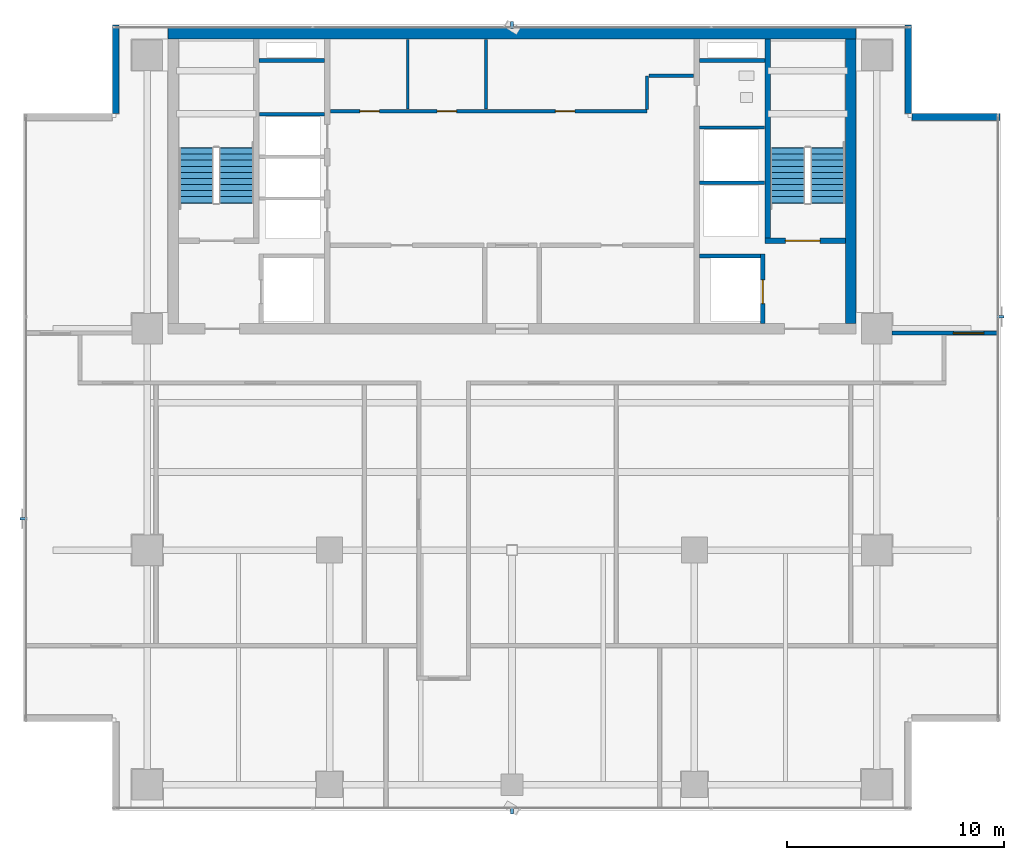
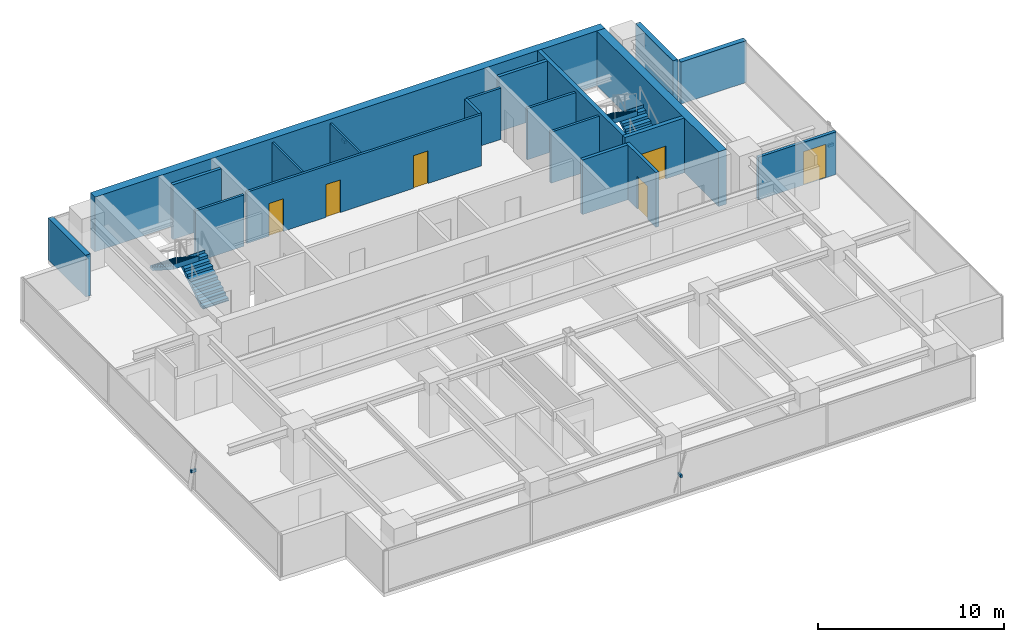
# One storey, part 21 of 25: 20 walls, 6 doors, 4 discrete accessories, 4 stair flights, 6 openings, 2 elements without a shape of their own.
"""IFC4 building model written with IfcOpenShell, lengths in metres."""

from ifc_helpers import new_model, si_unit, direction, frame, frame_2d, origin, origin_2d, place, context, subcontext, project, spatial, polyline, rectangle, outline, extrude, source, transform, mapped, material, layer, layer_set, material_profile, profile_set, type_object, element, fill, aggregate, save


model = new_model("IFC4")

# Units and contexts
model_context = context("Model", 3, precision=1e-05, world=origin(), true_north=direction((0.0, 1.0)))
body_context = subcontext(model_context, "Body", "Model", "MODEL_VIEW")
ifc_project = project(units=[si_unit("LENGTHUNIT", "METRE"), si_unit("AREAUNIT", "SQUARE_METRE"), si_unit("VOLUMEUNIT", "CUBIC_METRE"), si_unit("PLANEANGLEUNIT", "RADIAN"), si_unit("MASSUNIT", "GRAM", prefix="KILO")], contexts=[model_context])

# Site, building, storey
site_placement = place(None, origin())
site = spatial("IfcSite", under=ifc_project, at=site_placement, CompositionType="ELEMENT")
building_placement = place(site_placement, origin())
building = spatial("IfcBuilding", under=site, at=building_placement, Name="Sumidabori Civic Tower", CompositionType="ELEMENT")
storey_placement = place(building_placement, frame((0.0, 0.0, 268.39990234375)))
storey = spatial("IfcBuildingStorey", under=building, at=storey_placement, Name="L70", CompositionType="ELEMENT", Elevation=268.39990234375)

# Walls
ifc_material_1 = material(Name="Concrete C50/60", Category="concrete")
ifc_layer_1 = layer(ifc_material_1, 0.199951171875, Name="Concrete C50/60")
ifc_layer_set_1 = layer_set([ifc_layer_1], Name="Concrete C50/60")
wall_type_1 = type_object("IfcWallType", Name="WL-SHAFT-200", PredefinedType="SHEAR", material=ifc_layer_set_1)
shared_shape_1 = source(origin(), body_context, "Body", "SweptSolid", [
    extrude(rectangle(XDim=2.824951171875, YDim=0.199951171875, at=frame_2d((1.41259765625, 0.0))), origin(), (0.0, 0.0, 1.0), 3.60009765625),
])
wall_1_placement = place(storey_placement, frame((8.625, 13.550048828125, 0.0), z_axis=(0.0, 0.0, 1.0), x_axis=(1.0, 0.0, 0.0)))
element("IfcWall", 1, at=wall_1_placement, inside=storey, type_object=wall_type_1, Name="Core Shear Wall L70 EL2-N", PredefinedType="SHEAR", context=body_context, shape_type="MappedRepresentation", body=[
    mapped(shared_shape_1, transform((0.0, 0.0, 0.0), x_axis=(1.0, 0.0, 0.0), y_axis=(0.0, 1.0, 0.0), z_axis=(0.0, 0.0, 1.0), scale=1.0)),
])
shared_shape_2 = source(origin(), body_context, "Body", "SweptSolid", [
    extrude(rectangle(XDim=3.02001953125, YDim=0.199951171875, at=frame_2d((1.510009765625, 0.0))), origin(), (0.0, 0.0, 1.0), 3.60009765625),
])
for number, where, z_axis, x_axis, name in (
    (2, (-11.64501953125, 22.550048828125, 0.0), (0.0, 0.0, 1.0), (1.0, 0.0, 0.0), "Core Shear Wall L70 RIS1-S"),
    (3, (8.625, 22.550048828125, 0.0), (0.0, 0.0, 1.0), (1.0, 0.0, 0.0), "Core Shear Wall L70 RIS2-S"),
):
    element("IfcWall", number, at=place(storey_placement, frame(where, z_axis=z_axis, x_axis=x_axis)), inside=storey, type_object=wall_type_1, Name=name, PredefinedType="SHEAR", context=body_context, shape_type="MappedRepresentation", body=[
        mapped(shared_shape_2, transform((0.0, 0.0, 0.0), x_axis=(1.0, 0.0, 0.0), y_axis=(0.0, 1.0, 0.0), z_axis=(0.0, 0.0, 1.0), scale=1.0)),
    ])
ifc_layer_2 = layer(ifc_material_1, 0.5, Name="Concrete C50/60")
ifc_layer_set_2 = layer_set([ifc_layer_2], Name="Concrete C50/60")
wall_type_2 = type_object("IfcWallType", Name="WL-CORE-500", PredefinedType="SHEAR", material=ifc_layer_set_2)
shared_shape_3 = source(origin(), body_context, "Body", "SweptSolid", [
    extrude(rectangle(XDim=31.7001953125, YDim=0.5, at=frame_2d((15.85009765625, 0.0))), origin(), (0.0, 0.0, 1.0), 3.60009765625),
])
wall_2_placement = place(storey_placement, frame((-15.85009765625, 23.800048828125, 0.0), z_axis=(0.0, 0.0, 1.0), x_axis=(1.0, 0.0, 0.0)))
element("IfcWall", 4, at=wall_2_placement, inside=storey, type_object=wall_type_2, Name="Core Shear Wall L70 N", PredefinedType="SHEAR", context=body_context, shape_type="MappedRepresentation", body=[
    mapped(shared_shape_3, transform((0.0, 0.0, 0.0), x_axis=(1.0, 0.0, 0.0), y_axis=(0.0, 1.0, 0.0), z_axis=(0.0, 0.0, 1.0), scale=1.0)),
])
shared_shape_4 = source(origin(), body_context, "Body", "SweptSolid", [
    extrude(rectangle(XDim=13.10009765625, YDim=0.5, at=frame_2d((6.550048828125, 0.0))), origin(), (0.0, 0.0, 1.0), 3.60009765625),
])
wall_3_placement = place(storey_placement, frame((15.60009765625, 10.449951171875, 0.0), z_axis=(0.0, 0.0, 1.0), x_axis=(0.0, 1.0, 0.0)))
element("IfcWall", 5, at=wall_3_placement, inside=storey, type_object=wall_type_2, Name="Core Shear Wall L70 E", PredefinedType="SHEAR", context=body_context, shape_type="MappedRepresentation", body=[
    mapped(shared_shape_4, transform((0.0, 0.0, 0.0), x_axis=(1.0, 0.0, 0.0), y_axis=(0.0, 1.0, 0.0), z_axis=(0.0, 0.0, 1.0), scale=1.0)),
])

# Wall, opening, door
ifc_layer_3 = layer(ifc_material_1, 0.25, Name="Concrete C50/60")
ifc_layer_set_3 = layer_set([ifc_layer_3], Name="Concrete C50/60")
wall_type_3 = type_object("IfcWallType", Name="WL-SHAFT-250", PredefinedType="SHEAR", material=ifc_layer_set_3)
shared_shape_5 = source(origin(), body_context, "Body", "SweptSolid", [
    extrude(rectangle(XDim=3.705078125, YDim=0.25, at=frame_2d((1.8525390625, 0.0))), origin(), (0.0, 0.0, 1.0), 3.60009765625),
])
wall_4_placement = place(storey_placement, frame((11.64501953125, 14.25, 0.0), z_axis=(0.0, 0.0, 1.0), x_axis=(1.0, 0.0, 0.0)))
wall_4 = element("IfcWall", 6, at=wall_4_placement, inside=storey, type_object=wall_type_3, Name="Core Shear Wall L70 ST2-S", PredefinedType="SHEAR", context=body_context, shape_type="MappedRepresentation", body=[
    mapped(shared_shape_5, transform((0.0, 0.0, 0.0), x_axis=(1.0, 0.0, 0.0), y_axis=(0.0, 1.0, 0.0), z_axis=(0.0, 0.0, 1.0), scale=1.0)),
])
opening_1_placement = place(wall_4_placement, frame((0.949951171875, 0.0, 0.0)))
opening_1 = element("IfcOpeningElement", 7, at=opening_1_placement, cuts=wall_4, Name="Opening DR-FD4", PredefinedType="OPENING", context=body_context, shape_type="SweptSolid", body=[
    extrude(rectangle(XDim=1.60009765625, YDim=2.14990234375, at=frame_2d((0.800048828125, 1.074951171875))), frame((0.0, 0.136962890625, 0.0), z_axis=(0.0, -1.0, 0.0), x_axis=(1.0, 0.0, 0.0)), (0.0, 0.0, 1.0), 0.27392578125),
])
ifc_material_2 = material(Name="Steel SN490", Category="steel")
door_type_1 = type_object("IfcDoorType", Name="DR-FD4", OperationType="DOUBLE_DOOR_SINGLE_SWING", PredefinedType="DOOR", material=ifc_material_2)
shared_shape_6 = source(origin(), body_context, "Body", "SweptSolid", [
    extrude(rectangle(XDim=1.60009765625, YDim=2.14990234375, at=frame_2d((0.800048828125, 1.074951171875))), frame((0.0, 0.02490234375, 0.0), z_axis=(0.0, -1.0, 0.0), x_axis=(1.0, 0.0, 0.0)), (0.0, 0.0, 1.0), 0.050048828125),
])
door_1_placement = place(opening_1_placement, origin())
door_1 = element("IfcDoor", 8, at=door_1_placement, inside=storey, type_object=door_type_1, Name="Door DR:L70:ST2", OperationType="DOUBLE_DOOR_SINGLE_SWING", OverallHeight=2.14990234375, OverallWidth=1.60009765625, PredefinedType="DOOR", context=body_context, shape_type="MappedRepresentation", body=[
    mapped(shared_shape_6, transform((0.0, 0.0, 0.0), x_axis=(1.0, 0.0, 0.0), y_axis=(0.0, 1.0, 0.0), z_axis=(0.0, 0.0, 1.0), scale=1.0)),
])
fill(opening_1, door_1)

# Wall
shared_shape_7 = source(origin(), body_context, "Body", "SweptSolid", [
    extrude(rectangle(XDim=9.175048828125, YDim=0.25, at=frame_2d((4.58740234375, 0.0))), origin(), (0.0, 0.0, 1.0), 3.60009765625),
])
wall_5_placement = place(storey_placement, frame((11.77001953125, 14.375, 0.0), z_axis=(0.0, 0.0, 1.0), x_axis=(0.0, 1.0, 0.0)))
element("IfcWall", 9, at=wall_5_placement, inside=storey, type_object=wall_type_3, Name="Core Shear Wall L70 ST2-W", PredefinedType="SHEAR", context=body_context, shape_type="MappedRepresentation", body=[
    mapped(shared_shape_7, transform((0.0, 0.0, 0.0), x_axis=(1.0, 0.0, 0.0), y_axis=(0.0, 1.0, 0.0), z_axis=(0.0, 0.0, 1.0), scale=1.0)),
])

# Wall, opening, door
shared_shape_8 = source(origin(), body_context, "Body", "SweptSolid", [
    extrude(rectangle(XDim=3.199951171875, YDim=0.199951171875, at=frame_2d((1.60009765625, 0.0))), origin(), (0.0, 0.0, 1.0), 3.60009765625),
])
wall_6_placement = place(storey_placement, frame((11.550048828125, 10.449951171875, 0.0), z_axis=(0.0, 0.0, 1.0), x_axis=(0.0, 1.0, 0.0)))
wall_6 = element("IfcWall", 10, at=wall_6_placement, inside=storey, type_object=wall_type_1, Name="Core Shear Wall L70 EL2-E", PredefinedType="SHEAR", context=body_context, shape_type="MappedRepresentation", body=[
    mapped(shared_shape_8, transform((0.0, 0.0, 0.0), x_axis=(1.0, 0.0, 0.0), y_axis=(0.0, 1.0, 0.0), z_axis=(0.0, 0.0, 1.0), scale=1.0)),
])
opening_2_placement = place(wall_6_placement, frame((0.89990234375, 0.0, 0.0)))
opening_2 = element("IfcOpeningElement", 11, at=opening_2_placement, cuts=wall_6, Name="Opening LD-2", PredefinedType="OPENING", context=body_context, shape_type="SweptSolid", body=[
    extrude(rectangle(XDim=1.10009765625, YDim=2.14990234375, at=frame_2d((0.550048828125, 1.074951171875))), frame((0.0, 0.11181640625, 0.0), z_axis=(0.0, -1.0, 0.0), x_axis=(1.0, 0.0, 0.0)), (0.0, 0.0, 1.0), 0.223876953125),
])
ifc_material_3 = material(Name="Stainless Steel Hairline Finish", Category="steel")
door_type_2 = type_object("IfcDoorType", Name="DR-LD2", OperationType="DOUBLE_DOOR_SLIDING", PredefinedType="DOOR", material=ifc_material_3)
shared_shape_9 = source(origin(), body_context, "Body", "SweptSolid", [
    extrude(rectangle(XDim=1.10009765625, YDim=2.14990234375, at=frame_2d((0.550048828125, 1.074951171875))), frame((0.0, 0.02490234375, 0.0), z_axis=(0.0, -1.0, 0.0), x_axis=(1.0, 0.0, 0.0)), (0.0, 0.0, 1.0), 0.050048828125),
])
door_2_placement = place(opening_2_placement, origin())
door_2 = element("IfcDoor", 12, at=door_2_placement, inside=storey, type_object=door_type_2, Name="Door DR:L70:LD-EL2", OperationType="DOUBLE_DOOR_SLIDING", OverallHeight=2.14990234375, OverallWidth=1.10009765625, PredefinedType="DOOR", context=body_context, shape_type="MappedRepresentation", body=[
    mapped(shared_shape_9, transform((0.0, 0.0, 0.0), x_axis=(1.0, 0.0, 0.0), y_axis=(0.0, 1.0, 0.0), z_axis=(0.0, 0.0, 1.0), scale=1.0)),
])
fill(opening_2, door_2)

# Walls
ifc_material_4 = material(Name="Precast concrete C40/50", Category="concrete")
ifc_layer_4 = layer(ifc_material_4, 0.300048828125, Name="Precast concrete C40/50")
ifc_layer_set_4 = layer_set([ifc_layer_4], Name="Precast concrete C40/50")
wall_type_4 = type_object("IfcWallType", Name="WL-EXT-POD300", PredefinedType="STANDARD", material=ifc_layer_set_4)
shared_shape_10 = source(origin(), body_context, "Body", "SweptSolid", [
    extrude(rectangle(XDim=4.06005859375, YDim=0.300048828125, at=frame_2d((2.030029296875, 0.0))), origin(), (0.0, 0.0, 1.0), 2.75),
])
wall_7_placement = place(storey_placement, frame((22.47998046875, 19.949951171875, 0.0), z_axis=(0.0, 0.0, 1.0), x_axis=(-1.0, 0.0, 0.0)))
element("IfcWall", 13, at=wall_7_placement, inside=storey, type_object=wall_type_4, Name="Notched Corner Spandrel Band L70-05", PredefinedType="STANDARD", context=body_context, shape_type="MappedRepresentation", body=[
    mapped(shared_shape_10, transform((0.0, 0.0, 0.0), x_axis=(1.0, 0.0, 0.0), y_axis=(0.0, 1.0, 0.0), z_axis=(0.0, 0.0, 1.0), scale=1.0)),
])
shared_shape_11 = source(origin(), body_context, "Body", "SweptSolid", [
    extrude(rectangle(XDim=4.059814453125, YDim=0.300048828125, at=frame_2d((2.02978515625, 0.0))), origin(), (0.0, 0.0, 1.0), 2.75),
])
for number, where, z_axis, x_axis, name in (
    (14, (18.25, 20.1201171875, 0.0), (0.0, 0.0, 1.0), (0.0, 1.0, 0.0), "Notched Corner Spandrel Band L70-06"),
    (15, (-18.25, 24.179931640625, 0.0), (0.0, 0.0, 1.0), (0.0, -1.0, 0.0), "Notched Corner Spandrel Band L70-08"),
):
    element("IfcWall", number, at=place(storey_placement, frame(where, z_axis=z_axis, x_axis=x_axis)), inside=storey, type_object=wall_type_4, Name=name, PredefinedType="STANDARD", context=body_context, shape_type="MappedRepresentation", body=[
        mapped(shared_shape_11, transform((0.0, 0.0, 0.0), x_axis=(1.0, 0.0, 0.0), y_axis=(0.0, 1.0, 0.0), z_axis=(0.0, 0.0, 1.0), scale=1.0)),
    ])
ifc_material_5 = material(Name="Gypsum Plasterboard Acoustic Partition")
ifc_layer_5 = layer(ifc_material_5, 0.14990234375, Name="Gypsum Plasterboard Acoustic Partition")
ifc_layer_set_5 = layer_set([ifc_layer_5], Name="Gypsum Plasterboard Acoustic Partition")
wall_type_5 = type_object("IfcWallType", Name="WL-PART-150", PredefinedType="PARTITIONING", material=ifc_layer_set_5)
shared_shape_12 = source(origin(), body_context, "Body", "SweptSolid", [
    extrude(rectangle(XDim=3.010009765625, YDim=0.14990234375, at=frame_2d((1.5048828125, 0.0))), origin(), (0.0, 0.0, 1.0), 3.3701171875),
])
for number, where, z_axis, x_axis, name in (
    (16, (-11.639892578125, 20.080078125, 0.0), (0.0, 0.0, 1.0), (1.0, 0.0, 0.0), "Interior Partition WL:L70:DIV-PLH3"),
    (17, (8.6298828125, 16.919921875, 0.0), (0.0, 0.0, 1.0), (1.0, 0.0, 0.0), "Interior Partition WL:L70:DIV-OBS1"),
    (18, (8.6298828125, 19.469970703125, 0.0), (0.0, 0.0, 1.0), (1.0, 0.0, 0.0), "Interior Partition WL:L70:DIV-OBS2"),
):
    element("IfcWall", number, at=place(storey_placement, frame(where, z_axis=z_axis, x_axis=x_axis)), inside=storey, type_object=wall_type_5, Name=name, PredefinedType="PARTITIONING", context=body_context, shape_type="MappedRepresentation", body=[
        mapped(shared_shape_12, transform((0.0, 0.0, 0.0), x_axis=(1.0, 0.0, 0.0), y_axis=(0.0, 1.0, 0.0), z_axis=(0.0, 0.0, 1.0), scale=1.0)),
    ])

# Wall, openings, doors
shared_shape_13 = source(origin(), body_context, "Body", "SweptSolid", [
    extrude(rectangle(XDim=14.590087890625, YDim=0.14990234375, at=frame_2d((7.294921875, 0.0))), origin(), (0.0, 0.0, 1.0), 3.3701171875),
])
wall_8_placement = place(storey_placement, frame((-8.3701171875, 20.219970703125, 0.0), z_axis=(0.0, 0.0, 1.0), x_axis=(1.0, 0.0, 0.0)))
wall_8 = element("IfcWall", 19, at=wall_8_placement, inside=storey, type_object=wall_type_5, Name="Interior Partition WL:L70:CBAND-M", PredefinedType="PARTITIONING", context=body_context, shape_type="MappedRepresentation", body=[
    mapped(shared_shape_13, transform((0.0, 0.0, 0.0), x_axis=(1.0, 0.0, 0.0), y_axis=(0.0, 1.0, 0.0), z_axis=(0.0, 0.0, 1.0), scale=1.0)),
])
opening_3_placement = place(wall_8_placement, frame((1.360107421875, 0.0, 0.0)))
opening_3 = element("IfcOpeningElement", 20, at=opening_3_placement, cuts=wall_8, Name="Opening DR-1", PredefinedType="OPENING", context=body_context, shape_type="SweptSolid", body=[
    extrude(rectangle(XDim=0.89990234375, YDim=2.14990234375, at=frame_2d((0.449951171875, 1.074951171875))), frame((0.0, 0.0869140625, 0.0), z_axis=(0.0, -1.0, 0.0), x_axis=(1.0, 0.0, 0.0)), (0.0, 0.0, 1.0), 0.173828125),
])
opening_4_placement = place(wall_8_placement, frame((4.919921875, 0.0, 0.0)))
opening_4 = element("IfcOpeningElement", 21, at=opening_4_placement, cuts=wall_8, Name="Opening DR-1", PredefinedType="OPENING", context=body_context, shape_type="SweptSolid", body=[
    extrude(rectangle(XDim=0.89990234375, YDim=2.14990234375, at=frame_2d((0.449951171875, 1.074951171875))), frame((0.0, 0.0869140625, 0.0), z_axis=(0.0, -1.0, 0.0), x_axis=(1.0, 0.0, 0.0)), (0.0, 0.0, 1.0), 0.173828125),
])
opening_5_placement = place(wall_8_placement, frame((10.3701171875, 0.0, 0.0)))
opening_5 = element("IfcOpeningElement", 22, at=opening_5_placement, cuts=wall_8, Name="Opening DR-1", PredefinedType="OPENING", context=body_context, shape_type="SweptSolid", body=[
    extrude(rectangle(XDim=0.89990234375, YDim=2.14990234375, at=frame_2d((0.449951171875, 1.074951171875))), frame((0.0, 0.0869140625, 0.0), z_axis=(0.0, -1.0, 0.0), x_axis=(1.0, 0.0, 0.0)), (0.0, 0.0, 1.0), 0.173828125),
])
ifc_material_6 = material(Name="Japanese Hinoki Timber", Category="wood")
door_type_3 = type_object("IfcDoorType", Name="DR-INT-900", OperationType="NOTDEFINED", PredefinedType="DOOR", material=ifc_material_6)
shared_shape_14 = source(origin(), body_context, "Body", "SweptSolid", [
    extrude(rectangle(XDim=0.89990234375, YDim=2.14990234375, at=frame_2d((0.449951171875, 1.074951171875))), frame((0.0, 0.02490234375, 0.0), z_axis=(0.0, -1.0, 0.0), x_axis=(1.0, 0.0, 0.0)), (0.0, 0.0, 1.0), 0.050048828125),
])
door_3_placement = place(opening_3_placement, origin())
door_3 = element("IfcDoor", 23, at=door_3_placement, inside=storey, type_object=door_type_3, Name="Door DR:L70:CB-1", OperationType="SINGLE_SWING_LEFT", OverallHeight=2.14990234375, OverallWidth=0.89990234375, PredefinedType="DOOR", context=body_context, shape_type="MappedRepresentation", body=[
    mapped(shared_shape_14, transform((0.0, 0.0, 0.0), x_axis=(1.0, 0.0, 0.0), y_axis=(0.0, 1.0, 0.0), z_axis=(0.0, 0.0, 1.0), scale=1.0)),
])
fill(opening_3, door_3)
door_4_placement = place(opening_4_placement, origin())
door_4 = element("IfcDoor", 24, at=door_4_placement, inside=storey, type_object=door_type_3, Name="Door DR:L70:CB-2", OperationType="SINGLE_SWING_RIGHT", OverallHeight=2.14990234375, OverallWidth=0.89990234375, PredefinedType="DOOR", context=body_context, shape_type="MappedRepresentation", body=[
    mapped(shared_shape_14, transform((0.0, 0.0, 0.0), x_axis=(1.0, 0.0, 0.0), y_axis=(0.0, 1.0, 0.0), z_axis=(0.0, 0.0, 1.0), scale=1.0)),
])
fill(opening_4, door_4)
door_5_placement = place(opening_5_placement, origin())
door_5 = element("IfcDoor", 25, at=door_5_placement, inside=storey, type_object=door_type_3, Name="Door DR:L70:CB-3", OperationType="SINGLE_SWING_LEFT", OverallHeight=2.14990234375, OverallWidth=0.89990234375, PredefinedType="DOOR", context=body_context, shape_type="MappedRepresentation", body=[
    mapped(shared_shape_14, transform((0.0, 0.0, 0.0), x_axis=(1.0, 0.0, 0.0), y_axis=(0.0, 1.0, 0.0), z_axis=(0.0, 0.0, 1.0), scale=1.0)),
])
fill(opening_5, door_5)

# Walls
shared_shape_15 = source(origin(), body_context, "Body", "SweptSolid", [
    extrude(rectangle(XDim=1.550048828125, YDim=0.14990234375, at=frame_2d((0.77490234375, 0.0))), origin(), (0.0, 0.0, 1.0), 3.3701171875),
])
wall_9_placement = place(storey_placement, frame((6.219970703125, 20.300048828125, 0.0), z_axis=(0.0, 0.0, 1.0), x_axis=(0.0, 1.0, 0.0)))
element("IfcWall", 26, at=wall_9_placement, inside=storey, type_object=wall_type_5, Name="Interior Partition WL:L70:CBAND-ME1", PredefinedType="PARTITIONING", context=body_context, shape_type="MappedRepresentation", body=[
    mapped(shared_shape_15, transform((0.0, 0.0, 0.0), x_axis=(1.0, 0.0, 0.0), y_axis=(0.0, 1.0, 0.0), z_axis=(0.0, 0.0, 1.0), scale=1.0)),
])
shared_shape_16 = source(origin(), body_context, "Body", "SweptSolid", [
    extrude(rectangle(XDim=2.070068359375, YDim=0.14990234375, at=frame_2d((1.03515625, 0.0))), origin(), (0.0, 0.0, 1.0), 3.3701171875),
])
wall_10_placement = place(storey_placement, frame((6.300048828125, 21.85009765625, 0.0), z_axis=(0.0, 0.0, 1.0), x_axis=(1.0, 0.0, 0.0)))
element("IfcWall", 27, at=wall_10_placement, inside=storey, type_object=wall_type_5, Name="Interior Partition WL:L70:CBAND-ME2", PredefinedType="PARTITIONING", context=body_context, shape_type="MappedRepresentation", body=[
    mapped(shared_shape_16, transform((0.0, 0.0, 0.0), x_axis=(1.0, 0.0, 0.0), y_axis=(0.0, 1.0, 0.0), z_axis=(0.0, 0.0, 1.0), scale=1.0)),
])
ifc_layer_6 = layer(ifc_material_5, 0.1201171875, Name="Gypsum Plasterboard Acoustic Partition")
ifc_layer_set_6 = layer_set([ifc_layer_6], Name="Gypsum Plasterboard Acoustic Partition")
wall_type_6 = type_object("IfcWallType", Name="WL-PART-120", PredefinedType="PARTITIONING", material=ifc_layer_set_6)
shared_shape_17 = source(origin(), body_context, "Body", "SweptSolid", [
    extrude(rectangle(XDim=3.18994140625, YDim=0.1201171875, at=frame_2d((1.594970703125, 0.0))), origin(), (0.0, 0.0, 1.0), 3.3701171875),
])
for number, where, z_axis, x_axis, name in (
    (28, (-4.800048828125, 20.320068359375, 0.0), (0.0, 0.0, 1.0), (0.0, 1.0, 0.0), "Interior Partition WL:L70:LV8-S1"),
    (29, (-1.199951171875, 20.320068359375, 0.0), (0.0, 0.0, 1.0), (0.0, 1.0, 0.0), "Interior Partition WL:L70:LV8-S2"),
):
    element("IfcWall", number, at=place(storey_placement, frame(where, z_axis=z_axis, x_axis=x_axis)), inside=storey, type_object=wall_type_6, Name=name, PredefinedType="PARTITIONING", context=body_context, shape_type="MappedRepresentation", body=[
        mapped(shared_shape_17, transform((0.0, 0.0, 0.0), x_axis=(1.0, 0.0, 0.0), y_axis=(0.0, 1.0, 0.0), z_axis=(0.0, 0.0, 1.0), scale=1.0)),
    ])

# Wall, opening, door
ifc_layer_7 = layer(ifc_material_5, 0.179931640625, Name="Gypsum Plasterboard Acoustic Partition")
ifc_layer_set_7 = layer_set([ifc_layer_7], Name="Gypsum Plasterboard Acoustic Partition")
wall_type_7 = type_object("IfcWallType", Name="WL-PART-180", PredefinedType="PARTITIONING", material=ifc_layer_set_7)
shared_shape_18 = source(origin(), body_context, "Body", "SweptSolid", [
    extrude(rectangle(XDim=4.840087890625, YDim=0.179931640625, at=frame_2d((2.419921875, 0.0))), origin(), (0.0, 0.0, 1.0), 2.80517578125),
])
wall_11_placement = place(storey_placement, frame((17.510009765625, 10.0, 0.0), z_axis=(0.0, 0.0, 1.0), x_axis=(1.0, 0.0, 0.0)))
wall_11 = element("IfcWall", 30, at=wall_11_placement, inside=storey, type_object=wall_type_7, Name="Interior Partition WL:L70:FLK-NE", PredefinedType="PARTITIONING", context=body_context, shape_type="MappedRepresentation", body=[
    mapped(shared_shape_18, transform((0.0, 0.0, 0.0), x_axis=(1.0, 0.0, 0.0), y_axis=(0.0, 1.0, 0.0), z_axis=(0.0, 0.0, 1.0), scale=1.0)),
])
opening_6_placement = place(wall_11_placement, frame((2.820068359375, 0.0, 0.0)))
opening_6 = element("IfcOpeningElement", 31, at=opening_6_placement, cuts=wall_11, Name="Opening DR-5", PredefinedType="OPENING", context=body_context, shape_type="SweptSolid", body=[
    extrude(rectangle(XDim=1.39990234375, YDim=2.199951171875, at=frame_2d((0.699951171875, 1.10009765625))), frame((0.0, 0.10205078125, 0.0), z_axis=(0.0, -1.0, 0.0), x_axis=(1.0, 0.0, 0.0)), (0.0, 0.0, 1.0), 0.203857421875),
])
ifc_material_7 = material(Name="Anodised Bronze Aluminium AW-6063-T6", Category="aluminium")
door_type_4 = type_object("IfcDoorType", Name="DR-DBL-1400", OperationType="DOUBLE_DOOR_SINGLE_SWING", PredefinedType="DOOR", material=ifc_material_7)
shared_shape_19 = source(origin(), body_context, "Body", "SweptSolid", [
    extrude(rectangle(XDim=1.39990234375, YDim=2.199951171875, at=frame_2d((0.699951171875, 1.10009765625))), frame((0.0, 0.02490234375, 0.0), z_axis=(0.0, -1.0, 0.0), x_axis=(1.0, 0.0, 0.0)), (0.0, 0.0, 1.0), 0.050048828125),
])
door_6_placement = place(opening_6_placement, origin())
door_6 = element("IfcDoor", 32, at=door_6_placement, inside=storey, type_object=door_type_4, Name="Door DR:L70:D09", OperationType="DOUBLE_DOOR_SINGLE_SWING", OverallHeight=2.199951171875, OverallWidth=1.39990234375, PredefinedType="DOOR", context=body_context, shape_type="MappedRepresentation", body=[
    mapped(shared_shape_19, transform((0.0, 0.0, 0.0), x_axis=(1.0, 0.0, 0.0), y_axis=(0.0, 1.0, 0.0), z_axis=(0.0, 0.0, 1.0), scale=1.0)),
])
fill(opening_6, door_6)

# Stair, stair flights
ifc_material_8 = material(Name="Concrete C40/50", Category="concrete")
stair_type = type_object("IfcStairType", Name="ST-CORE-1600", PredefinedType="HALF_TURN_STAIR", material=ifc_material_8)
stair_1_placement = place(storey_placement, origin())
stair_1 = element("IfcStair", 33, at=stair_1_placement, inside=storey, type_object=stair_type, Name="L70 ST-1", PredefinedType="HALF_TURN_STAIR")
stair_flight_type = type_object("IfcStairFlightType", Name="SF-CORE-1600", PredefinedType="STRAIGHT", material=ifc_material_8)
shared_shape_20 = source(origin(), body_context, "Body", "SweptSolid", [
    extrude(outline(polyline([(-0.02490234375, 0.0), (-0.02490234375, 0.0400390625), (0.0, 0.0400390625), (0.0, 0.179931640625), (0.280029296875, 0.179931640625), (0.280029296875, 0.360107421875), (0.56005859375, 0.360107421875), (0.56005859375, 0.5400390625), (0.840087890625, 0.5400390625), (0.840087890625, 0.719970703125), (1.1201171875, 0.719970703125), (1.1201171875, 0.89990234375), (1.39990234375, 0.89990234375), (1.39990234375, 1.080078125), (1.679931640625, 1.080078125), (1.679931640625, 1.260009765625), (1.9599609375, 1.260009765625), (1.9599609375, 1.43994140625), (2.239990234375, 1.43994140625), (2.239990234375, 1.6201171875), (2.52001953125, 1.6201171875), (2.52001953125, 1.800048828125), (2.544921875, 1.800048828125), (2.544921875, 1.650146484375), (2.52001953125, 1.44189453125), (0.277099609375, 0.0), (-0.02490234375, 0.0)])), frame((0.0, 0.800048828125, 0.0), z_axis=(0.0, -1.0, 0.0), x_axis=(1.0, 0.0, 0.0)), (0.0, 0.0, 1.0), 1.60009765625),
])
stair_flight_1_placement = place(storey_placement, frame((-12.699951171875, 16.0, 0.0), z_axis=(0.0, 0.0, 1.0), x_axis=(0.0, 1.0, 0.0)))
stair_flight_1 = element("IfcStairFlight", 34, at=stair_flight_1_placement, type_object=stair_flight_type, Name="ST-1 flight 1", NumberOfRisers=10, NumberOfTreads=9, PredefinedType="STRAIGHT", RiserHeight=0.18, TreadLength=0.28, context=body_context, shape_type="MappedRepresentation", body=[
    mapped(shared_shape_20, transform((0.0, 0.0, 0.0), x_axis=(1.0, 0.0, 0.0), y_axis=(0.0, 1.0, 0.0), z_axis=(0.0, 0.0, 1.0), scale=1.0)),
])
stair_flight_2_placement = place(storey_placement, frame((-14.5400390625, 18.52001953125, 1.800048828125), z_axis=(0.0, 0.0, 1.0), x_axis=(0.0, -1.0, 0.0)))
stair_flight_2 = element("IfcStairFlight", 35, at=stair_flight_2_placement, type_object=stair_flight_type, Name="ST-1 flight 2", NumberOfRisers=10, NumberOfTreads=9, PredefinedType="STRAIGHT", RiserHeight=0.18, TreadLength=0.28, context=body_context, shape_type="MappedRepresentation", body=[
    mapped(shared_shape_20, transform((0.0, 0.0, 0.0), x_axis=(1.0, 0.0, 0.0), y_axis=(0.0, 1.0, 0.0), z_axis=(0.0, 0.0, 1.0), scale=1.0)),
])
aggregate(stair_1, [stair_flight_1, stair_flight_2])

stair_2_placement = place(storey_placement, origin())
stair_2 = element("IfcStair", 36, at=stair_2_placement, inside=storey, type_object=stair_type, Name="L70 ST-2", PredefinedType="HALF_TURN_STAIR")
stair_flight_3_placement = place(storey_placement, frame((14.5400390625, 16.0, 0.0), z_axis=(0.0, 0.0, 1.0), x_axis=(0.0, 1.0, 0.0)))
stair_flight_3 = element("IfcStairFlight", 37, at=stair_flight_3_placement, type_object=stair_flight_type, Name="ST-2 flight 1", NumberOfRisers=10, NumberOfTreads=9, PredefinedType="STRAIGHT", RiserHeight=0.18, TreadLength=0.28, context=body_context, shape_type="MappedRepresentation", body=[
    mapped(shared_shape_20, transform((0.0, 0.0, 0.0), x_axis=(1.0, 0.0, 0.0), y_axis=(0.0, 1.0, 0.0), z_axis=(0.0, 0.0, 1.0), scale=1.0)),
])
stair_flight_4_placement = place(storey_placement, frame((12.699951171875, 18.52001953125, 1.800048828125), z_axis=(0.0, 0.0, 1.0), x_axis=(0.0, -1.0, 0.0)))
stair_flight_4 = element("IfcStairFlight", 38, at=stair_flight_4_placement, type_object=stair_flight_type, Name="ST-2 flight 2", NumberOfRisers=10, NumberOfTreads=9, PredefinedType="STRAIGHT", RiserHeight=0.18, TreadLength=0.28, context=body_context, shape_type="MappedRepresentation", body=[
    mapped(shared_shape_20, transform((0.0, 0.0, 0.0), x_axis=(1.0, 0.0, 0.0), y_axis=(0.0, 1.0, 0.0), z_axis=(0.0, 0.0, 1.0), scale=1.0)),
])
aggregate(stair_2, [stair_flight_3, stair_flight_4])

# Discrete accessories
ifc_material_profile = material_profile(ifc_material_3, rectangle(XDim=0.1201171875, YDim=0.179931640625, at=origin_2d()), Name="STEEL BRACKET 180x120")
ifc_profile_set = profile_set([ifc_material_profile], Name="Stainless Steel Hairline Finish")
discrete_accessory_type = type_object("IfcDiscreteAccessoryType", Name="AC-BRK-180", PredefinedType="BRACKET", material=ifc_profile_set)
shared_shape_21 = source(origin(), body_context, "Body", "SweptSolid", [
    extrude(rectangle(XDim=0.1201171875, YDim=0.179931640625, at=origin_2d()), origin(), (0.0, 0.0, 1.0), 0.329833984375),
])
for number, where, z_axis, x_axis, name in (
    (39, (0.0, -11.830078125, 1.364990234375), (0.0, -1.0, 0.0), (1.0, 0.0, 0.0), "Bronze Fin Fixing Bracket L70-02"),
    (40, (22.330078125, 10.756591796875, 1.364990234375), (1.0, 0.0, 0.0), (0.0, 1.0, 0.0), "Bronze Fin Fixing Bracket L70-02"),
    (41, (-22.330078125, 1.443359375, 1.364990234375), (-1.0, 0.0, 0.0), (0.0, -1.0, 0.0), "Bronze Fin Fixing Bracket L70-02"),
):
    element("IfcDiscreteAccessory", number, at=place(storey_placement, frame(where, z_axis=z_axis, x_axis=x_axis)), inside=storey, type_object=discrete_accessory_type, Name=name, PredefinedType="BRACKET", context=body_context, shape_type="MappedRepresentation", body=[
        mapped(shared_shape_21, transform((0.0, 0.0, 0.0), x_axis=(1.0, 0.0, 0.0), y_axis=(0.0, 1.0, 0.0), z_axis=(0.0, 0.0, 1.0), scale=1.0)),
    ])
shared_shape_22 = source(origin(), body_context, "Body", "SweptSolid", [
    extrude(rectangle(XDim=0.1201171875, YDim=0.179931640625, at=origin_2d()), origin(), (0.0, 0.0, 1.0), 0.330078125),
])
discrete_accessory_placement = place(storey_placement, frame((0.0, 24.030029296875, 1.364990234375), z_axis=(0.0, 1.0, 0.0), x_axis=(-1.0, 0.0, 0.0)))
element("IfcDiscreteAccessory", 42, at=discrete_accessory_placement, inside=storey, type_object=discrete_accessory_type, Name="Bronze Fin Fixing Bracket L70-02", PredefinedType="BRACKET", context=body_context, shape_type="MappedRepresentation", body=[
    mapped(shared_shape_22, transform((0.0, 0.0, 0.0), x_axis=(1.0, 0.0, 0.0), y_axis=(0.0, 1.0, 0.0), z_axis=(0.0, 0.0, 1.0), scale=1.0)),
])

save(model, "model.ifc")
